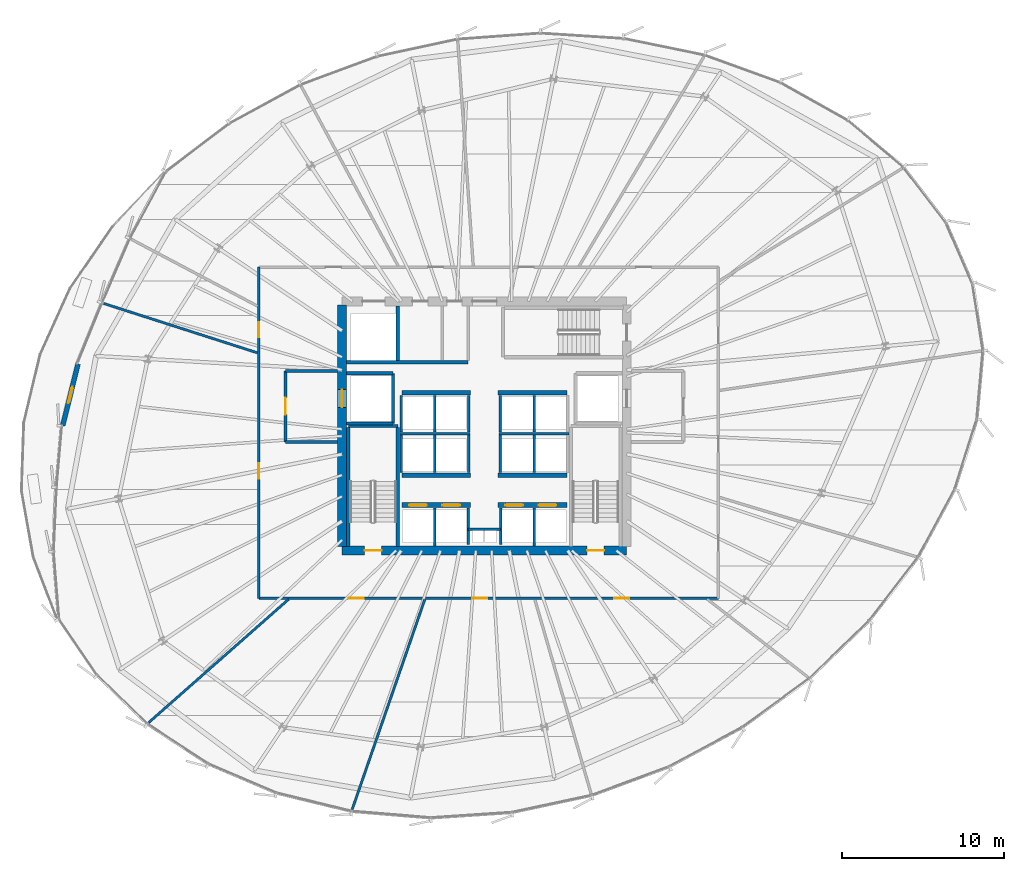
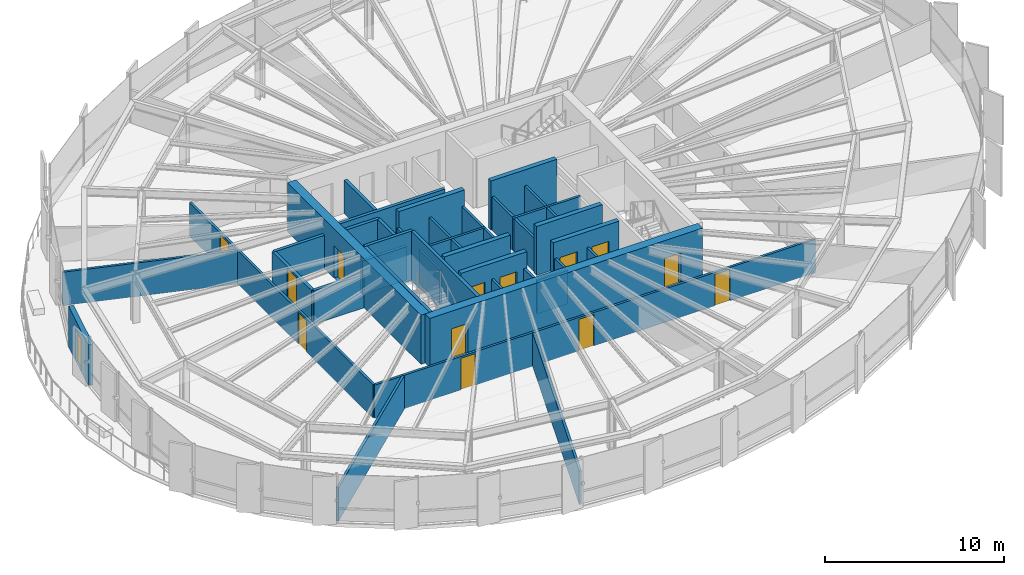
# One storey, part 29 of 35: 42 walls, 14 doors, 14 openings.
"""IFC4 building model written with IfcOpenShell, lengths in metres."""

import ifcopenshell
import ifcopenshell.guid

model = None  # the IFC model being written
_history = None  # IfcOwnerHistory: only IFC2X3 demands one
_inside = {}  # id of a spatial element -> (the spatial element, [elements in it])
_under = {}  # id of a project, library or spatial element -> (it, [spatial elements below it])
_declared = {}  # id of a project -> (the project, [libraries it declares])
_typed = {}  # id of a type object -> (the type object, [elements of that type])
_made_of = {}  # id of a material, layer set ... -> (it, [elements and type objects made of it])


def new_model(schema):
    """Start an empty IFC model of exactly this schema.

    Asked for "IFC4X3", IfcOpenShell would pick the latest addendum, in which some entities
    have other attributes; the version numbers below select the first issue.
    IFC2X3 requires an IfcOwnerHistory on every rooted entity: one is made here for all.
    """
    global model, _history
    if schema == "IFC4X3":
        model = ifcopenshell.file(schema_version=(4, 3, 0, 0))
    else:
        model = ifcopenshell.file(schema=schema)
    _inside.clear()
    _under.clear()
    _declared.clear()
    _typed.clear()
    _made_of.clear()
    _history = None
    if model.schema == "IFC2X3":
        org = make("IfcOrganization", Name="unknown")
        user = make(
            "IfcPersonAndOrganization",
            ThePerson=make("IfcPerson", FamilyName="unknown"),
            TheOrganization=org,
        )
        app = make(
            "IfcApplication",
            ApplicationDeveloper=org,
            Version="unknown",
            ApplicationFullName="unknown",
            ApplicationIdentifier="unknown",
        )
        _history = make(
            "IfcOwnerHistory",
            OwningUser=user,
            OwningApplication=app,
            ChangeAction="ADDED",
            CreationDate=0,
        )
    return model


def make(cls, **values):
    """One entity of the class cls with the attributes given. An attribute that is None is left unset."""
    return model.create_entity(
        cls, **{name: value for name, value in values.items() if value is not None}
    )


def rooted(cls, **values):
    """An entity with a GlobalId (a new one), such as an element, a storey or a relation."""
    return make(cls, GlobalId=ifcopenshell.guid.new(), OwnerHistory=_history, **values)


def si_unit(unit_type, name, prefix=None):
    """IfcSIUnit, for example si_unit("LENGTHUNIT", "METRE", prefix="MILLI")."""
    return make("IfcSIUnit", UnitType=unit_type, Prefix=prefix, Name=name)


def assignment(units):
    """IfcUnitAssignment: the units of a project."""
    return None if units is None else make("IfcUnitAssignment", Units=units)


def point(xyz):
    """IfcCartesianPoint."""
    return None if xyz is None else make("IfcCartesianPoint", Coordinates=xyz)


def direction(xyz):
    """IfcDirection."""
    return None if xyz is None else make("IfcDirection", DirectionRatios=xyz)


def frame(location, z_axis=None, x_axis=None):
    """IfcAxis2Placement3D, a coordinate frame: its origin and axes. An axis left out is left unset."""
    return make(
        "IfcAxis2Placement3D",
        Location=point(location),
        Axis=direction(z_axis),
        RefDirection=direction(x_axis),
    )


def frame_2d(location, x_axis=None):
    """IfcAxis2Placement2D, a coordinate frame in the plane: its origin and x axis."""
    return make(
        "IfcAxis2Placement2D", Location=point(location), RefDirection=direction(x_axis)
    )


def origin():
    """The frame at (0, 0, 0) with its axes left unset."""
    return frame((0.0, 0.0, 0.0))


def place(relative_to, where):
    """IfcLocalPlacement: puts the frame where relative to a parent placement (None: the world)."""
    return make(
        "IfcLocalPlacement", PlacementRelTo=relative_to, RelativePlacement=where
    )


def context(
    kind, dimensions, precision=None, world=None, true_north=None, identifier=None
):
    """IfcGeometricRepresentationContext, for example the 3D "Model" context."""
    return make(
        "IfcGeometricRepresentationContext",
        ContextIdentifier=identifier,
        ContextType=kind,
        CoordinateSpaceDimension=dimensions,
        Precision=precision,
        WorldCoordinateSystem=world,
        TrueNorth=true_north,
    )


def subcontext(parent, identifier, kind, view, scale=None):
    """IfcGeometricRepresentationSubContext, for example "Body" below "Model"."""
    return make(
        "IfcGeometricRepresentationSubContext",
        ContextIdentifier=identifier,
        ContextType=kind,
        ParentContext=parent,
        TargetScale=scale,
        TargetView=view,
    )


def project(units=None, contexts=None):
    """IfcProject with its units and contexts."""
    return rooted(
        "IfcProject",
        Name="project",
        RepresentationContexts=contexts,
        UnitsInContext=assignment(units),
    )


def spatial(cls, under=None, at=None, **own):
    """A site, building, storey or space (cls), placed at a placement, below another one or the project."""
    s = rooted(cls, ObjectPlacement=at, **own)
    if under is not None:
        _under.setdefault(under.id(), (under, []))[1].append(s)
    return s


def profile(cls, at=None, kind="AREA", **sizes):
    """A parametric profile (cls). Its sizes go by their IFC names, for example OverallWidth=200.0."""
    return make(cls, ProfileType=kind, Position=at, **sizes)


def rectangle(**sizes):
    """IfcRectangleProfileDef."""
    return profile("IfcRectangleProfileDef", **sizes)


def extrude(swept, where, along, depth):
    """IfcExtrudedAreaSolid: the profile swept, set in the frame where, extruded along a direction by depth."""
    return make(
        "IfcExtrudedAreaSolid",
        SweptArea=swept,
        Position=where,
        ExtrudedDirection=direction(along),
        Depth=depth,
    )


def shape(context_of_items, identifier, shape_type, items):
    """IfcShapeRepresentation: the items that make up one representation, for example the "Body"."""
    return make(
        "IfcShapeRepresentation",
        ContextOfItems=context_of_items,
        RepresentationIdentifier=identifier,
        RepresentationType=shape_type,
        Items=items,
    )


def source(mapping_origin, context_of_items, identifier, shape_type, items):
    """IfcRepresentationMap: a shape defined once, which mapped items show again and again."""
    return make(
        "IfcRepresentationMap",
        MappingOrigin=mapping_origin,
        MappedRepresentation=shape(context_of_items, identifier, shape_type, items),
    )


def transform(
    local_origin,
    x_axis=None,
    y_axis=None,
    z_axis=None,
    scale=None,
    scale2=None,
    scale3=None,
    uniform=True,
):
    """IfcCartesianTransformationOperator3D, or its non-uniform kind. x_axis, y_axis, z_axis: its Axis1, 2, 3."""
    if uniform:
        return make(
            "IfcCartesianTransformationOperator3D",
            Axis1=direction(x_axis),
            Axis2=direction(y_axis),
            LocalOrigin=point(local_origin),
            Scale=scale,
            Axis3=direction(z_axis),
        )
    return make(
        "IfcCartesianTransformationOperator3DnonUniform",
        Axis1=direction(x_axis),
        Axis2=direction(y_axis),
        LocalOrigin=point(local_origin),
        Scale=scale,
        Axis3=direction(z_axis),
        Scale2=scale2,
        Scale3=scale3,
    )


def mapped(mapping_source, mapping_target):
    """IfcMappedItem: shows the shape of a source again, moved by a transform."""
    return make(
        "IfcMappedItem", MappingSource=mapping_source, MappingTarget=mapping_target
    )


def material(Name=None, Category=None):
    """IfcMaterial."""
    return make("IfcMaterial", Name=Name, Category=Category)


def layer(
    of_material, thickness, ventilated=None, Name=None, Category=None, Priority=None
):
    """IfcMaterialLayer: one layer of a wall or slab, of a material (None: an air gap)."""
    return make(
        "IfcMaterialLayer",
        Material=of_material,
        LayerThickness=thickness,
        IsVentilated=ventilated,
        Name=Name,
        Category=Category,
        Priority=Priority,
    )


def layer_set(layers, Name=None):
    """IfcMaterialLayerSet."""
    return make("IfcMaterialLayerSet", MaterialLayers=layers, LayerSetName=Name)


def made_of(thing, what):
    """Note that an element or type object is made of a material, layer set ...; save() writes the relation."""
    if what is not None:
        _made_of.setdefault(what.id(), (what, []))[1].append(thing)
    return thing


def type_object(cls, material=None, **own):
    """A type object (cls), such as IfcWallType, which elements share."""
    return made_of(rooted(cls, **own), material)


def element(
    cls,
    number,
    at=None,
    inside=None,
    cuts=None,
    type_object=None,
    material=None,
    context=None,
    identifier="Body",
    shape_type=None,
    held_by="IfcProductDefinitionShape",
    body=None,
    shapes=None,
    **own,
):
    """One element of the class cls, such as IfcWall. Its Tag is "e" and its number.

    at: its placement. inside: the storey or other place that contains it. cuts: it is an
    opening in that element (IfcRelVoidsElement). A single representation is given by context,
    identifier, shape_type and body (its items); several are given by shapes. held_by: the class
    of the entity that holds the representations. save() writes the other relations.
    """
    e = rooted(cls, Tag="e%d" % number, ObjectPlacement=at, **own)
    if body is not None:
        shapes = [shape(context, identifier, shape_type, body)]
    if shapes is not None:
        e.Representation = make(held_by, Representations=shapes)
    if inside is not None:
        _inside.setdefault(inside.id(), (inside, []))[1].append(e)
    if cuts is not None:
        rooted(
            "IfcRelVoidsElement", RelatingBuildingElement=cuts, RelatedOpeningElement=e
        )
    if type_object is not None:
        _typed.setdefault(type_object.id(), (type_object, []))[1].append(e)
    return made_of(e, material)


def fill(opening, filler):
    """IfcRelFillsElement: the door or window that sits in an opening."""
    return rooted(
        "IfcRelFillsElement",
        RelatingOpeningElement=opening,
        RelatedBuildingElement=filler,
    )


def aggregate(whole, parts):
    """IfcRelAggregates: a whole, such as a stair, and the parts it consists of."""
    return rooted("IfcRelAggregates", RelatingObject=whole, RelatedObjects=parts)


def save(model, path):
    """Write the relations noted so far, then the file.

    IfcRelAggregates (storeys below a building ...), IfcRelContainedInSpatialStructure (elements
    in a storey), IfcRelDefinesByType, IfcRelAssociatesMaterial and IfcRelDeclares: one each for
    every whole, place, type object, material and project.
    """
    for whole, parts in _under.values():
        aggregate(whole, parts)
    for where, things in _inside.values():
        rooted(
            "IfcRelContainedInSpatialStructure",
            RelatedElements=things,
            RelatingStructure=where,
        )
    for kind, things in _typed.values():
        rooted("IfcRelDefinesByType", RelatedObjects=things, RelatingType=kind)
    for what, things in _made_of.values():
        rooted("IfcRelAssociatesMaterial", RelatedObjects=things, RelatingMaterial=what)
    for by, libraries in _declared.values():
        rooted("IfcRelDeclares", RelatingContext=by, RelatedDefinitions=libraries)
    model.write(path)


model = new_model("IFC4")

# Units and contexts
model_context = context("Model", 3, precision=1e-05, world=origin(), true_north=direction((0.0, 1.0)))
body_context = subcontext(model_context, "Body", "Model", "MODEL_VIEW")
ifc_project = project(units=[si_unit("LENGTHUNIT", "METRE"), si_unit("AREAUNIT", "SQUARE_METRE"), si_unit("VOLUMEUNIT", "CUBIC_METRE"), si_unit("PLANEANGLEUNIT", "RADIAN"), si_unit("MASSUNIT", "GRAM", prefix="KILO"), si_unit("THERMODYNAMICTEMPERATUREUNIT", "KELVIN")], contexts=[model_context])

# Site, building, storey
site_placement = place(None, origin())
site = spatial("IfcSite", under=ifc_project, at=site_placement, CompositionType="ELEMENT")
building_placement = place(site_placement, origin())
building = spatial("IfcBuilding", under=site, at=building_placement, Name="Kethvar Cultural Tower", CompositionType="ELEMENT")
storey_placement = place(building_placement, frame((0.0, 0.0, 100.0)))
storey = spatial("IfcBuildingStorey", under=building, at=storey_placement, Name="L24", CompositionType="ELEMENT", Elevation=100.0)

# Wall, openings, doors
ifc_material_1 = material(Name="Concrete C60/75", Category="concrete")
ifc_layer_1 = layer(ifc_material_1, 0.550048828125, Name="Concrete C60/75", Category="concrete")
ifc_layer_set_1 = layer_set([ifc_layer_1], Name="Concrete C60/75 (550 mm)")
wall_type_1 = type_object("IfcWallType", Name="WL-CORE-550", PredefinedType="SHEAR", material=ifc_layer_set_1)
wall_1_placement = place(storey_placement, frame((38.0, 20.10009765625, 0.0), z_axis=(0.0, 0.0, 1.0), x_axis=(1.0, 0.0, 0.0)))
wall_1 = element("IfcWall", 1, at=wall_1_placement, inside=storey, type_object=wall_type_1, Name="L24 Core Shear Wall S", PredefinedType="SHEAR", context=body_context, shape_type="SweptSolid", body=[
    extrude(rectangle(XDim=17.60009765625, YDim=0.550048828125, at=frame_2d((8.800048828125, 0.0))), origin(), (0.0, 0.0, 1.0), 3.35009765625),
])
opening_1_placement = place(wall_1_placement, frame((1.39990234375, 0.0, 0.0)))
opening_1 = element("IfcOpeningElement", 2, at=opening_1_placement, cuts=wall_1, Name="Opening D-L24-S1", PredefinedType="OPENING", context=body_context, shape_type="SweptSolid", body=[
    extrude(rectangle(XDim=1.050048828125, YDim=2.14990234375, at=frame_2d((0.52490234375, 1.074951171875))), frame((0.0, 0.284912109375, 0.0), z_axis=(0.0, -1.0, 0.0), x_axis=(1.0, 0.0, 0.0)), (0.0, 0.0, 1.0), 0.570068359375),
])
opening_2_placement = place(wall_1_placement, frame((15.14990234375, 0.0, 0.0)))
opening_2 = element("IfcOpeningElement", 3, at=opening_2_placement, cuts=wall_1, Name="Opening D-L24-ST2", PredefinedType="OPENING", context=body_context, shape_type="SweptSolid", body=[
    extrude(rectangle(XDim=1.050048828125, YDim=2.14990234375, at=frame_2d((0.52490234375, 1.074951171875))), frame((0.0, 0.284912109375, 0.0), z_axis=(0.0, -1.0, 0.0), x_axis=(1.0, 0.0, 0.0)), (0.0, 0.0, 1.0), 0.570068359375),
])
ifc_material_2 = material(Name="Steel S355J2", Category="steel")
door_type_1 = type_object("IfcDoorType", Name="DR-FD60-1050", OperationType="NOTDEFINED", PredefinedType="DOOR", material=ifc_material_2)
shared_shape_1 = source(origin(), body_context, "Body", "SweptSolid", [
    extrude(rectangle(XDim=1.050048828125, YDim=2.14990234375, at=frame_2d((0.52490234375, 1.074951171875))), frame((0.0, 0.02490234375, 0.0), z_axis=(0.0, -1.0, 0.0), x_axis=(1.0, 0.0, 0.0)), (0.0, 0.0, 1.0), 0.050048828125),
])
door_1_placement = place(opening_1_placement, origin())
door_1 = element("IfcDoor", 4, at=door_1_placement, inside=storey, type_object=door_type_1, Name="L24 Exit Stair 1 Door", OperationType="SINGLE_SWING_LEFT", OverallHeight=2.14990234375, OverallWidth=1.050048828125, PredefinedType="DOOR", context=body_context, shape_type="MappedRepresentation", body=[
    mapped(shared_shape_1, transform((0.0, 0.0, 0.0), scale=1.0)),
])
fill(opening_1, door_1)
door_2_placement = place(opening_2_placement, origin())
door_2 = element("IfcDoor", 5, at=door_2_placement, inside=storey, type_object=door_type_1, Name="L24 Exit Stair 2 Door", OperationType="SINGLE_SWING_RIGHT", OverallHeight=2.14990234375, OverallWidth=1.050048828125, PredefinedType="DOOR", context=body_context, shape_type="MappedRepresentation", body=[
    mapped(shared_shape_1, transform((0.0, 0.0, 0.0), scale=1.0)),
])
fill(opening_2, door_2)

# Wall, opening, door
wall_2_placement = place(storey_placement, frame((38.0, 35.260009765625, 0.0), z_axis=(0.0, 0.0, 1.0), x_axis=(0.0, -1.0, 0.0)))
wall_2 = element("IfcWall", 6, at=wall_2_placement, inside=storey, type_object=wall_type_1, Name="L24 Core Shear Wall W", PredefinedType="SHEAR", context=body_context, shape_type="SweptSolid", body=[
    extrude(rectangle(XDim=14.919921875, YDim=0.550048828125, at=frame_2d((7.4599609375, 0.0))), origin(), (0.0, 0.0, 1.0), 3.35009765625),
])
opening_3_placement = place(wall_2_placement, frame((5.2099609375, 0.0, 0.0)))
opening_3 = element("IfcOpeningElement", 7, at=opening_3_placement, cuts=wall_2, Name="Opening LD-1", PredefinedType="OPENING", context=body_context, shape_type="SweptSolid", body=[
    extrude(rectangle(XDim=1.10009765625, YDim=2.199951171875, at=frame_2d((0.550048828125, 1.10009765625))), frame((0.0, 0.284912109375, 0.0), z_axis=(0.0, -1.0, 0.0), x_axis=(1.0, 0.0, 0.0)), (0.0, 0.0, 1.0), 0.570068359375),
])
door_type_2 = type_object("IfcDoorType", Name="DR-LIFT-SLIDE-1100", OperationType="NOTDEFINED", PredefinedType="DOOR", material=ifc_material_2)
shared_shape_2 = source(origin(), body_context, "Body", "SweptSolid", [
    extrude(rectangle(XDim=1.10009765625, YDim=2.199951171875, at=frame_2d((0.550048828125, 1.10009765625))), frame((0.0, 0.02490234375, 0.0), z_axis=(0.0, -1.0, 0.0), x_axis=(1.0, 0.0, 0.0)), (0.0, 0.0, 1.0), 0.050048828125),
])
door_3_placement = place(opening_3_placement, origin())
door_3 = element("IfcDoor", 8, at=door_3_placement, inside=storey, type_object=door_type_2, Name="L24 Firefighting Lift Landing Door FFL-01", OperationType="SLIDING_TO_LEFT", OverallHeight=2.199951171875, OverallWidth=1.10009765625, PredefinedType="DOOR", context=body_context, shape_type="MappedRepresentation", body=[
    mapped(shared_shape_2, transform((0.0, 0.0, 0.0), scale=1.0)),
])
fill(opening_3, door_3)

ifc_material_3 = material(Name="Concrete C40/50", Category="concrete")
ifc_layer_2 = layer(ifc_material_3, 0.300048828125, Name="Concrete C40/50", Category="concrete")
ifc_layer_set_2 = layer_set([ifc_layer_2], Name="Concrete C40/50 (300 mm)")
wall_type_2 = type_object("IfcWallType", Name="WL-EXT-TER-300", PredefinedType="SOLIDWALL", material=ifc_layer_set_2)
wall_3_placement = place(storey_placement, frame((20.729736328125, 27.81201171875, 0.0), z_axis=(0.0, 0.0, 1.0), x_axis=(0.240490163951, 0.970651575512, 0.0)))
wall_3 = element("IfcWall", 9, at=wall_3_placement, inside=storey, type_object=wall_type_2, Name="L24 Sky Terrace Access Wall", PredefinedType="SOLIDWALL", context=body_context, shape_type="SweptSolid", body=[
    extrude(rectangle(XDim=3.932861328125, YDim=0.300048828125, at=frame_2d((1.96630859375, 0.0))), origin(), (0.0, 0.0, 1.0), 2.77490234375),
])
opening_4_placement = place(wall_3_placement, frame((1.44140625, 0.0, 0.0)))
opening_4 = element("IfcOpeningElement", 10, at=opening_4_placement, cuts=wall_3, Name="Opening D-L24-T1", PredefinedType="OPENING", context=body_context, shape_type="SweptSolid", body=[
    extrude(rectangle(XDim=1.050048828125, YDim=2.199951171875, at=frame_2d((0.52490234375, 1.10009765625))), frame((0.0, 0.159912109375, 0.0), z_axis=(0.0, -1.0, 0.0), x_axis=(1.0, 0.0, 0.0)), (0.0, 0.0, 1.0), 0.320068359375),
])
ifc_material_4 = material(Name="Aluminium 6063-T6", Category="aluminium")
door_type_3 = type_object("IfcDoorType", Name="DR-EXT-TER-1050", OperationType="NOTDEFINED", PredefinedType="DOOR", material=ifc_material_4)
shared_shape_3 = source(origin(), body_context, "Body", "SweptSolid", [
    extrude(rectangle(XDim=1.050048828125, YDim=2.199951171875, at=frame_2d((0.52490234375, 1.10009765625))), frame((0.0, 0.02490234375, 0.0), z_axis=(0.0, -1.0, 0.0), x_axis=(1.0, 0.0, 0.0)), (0.0, 0.0, 1.0), 0.050048828125),
])
door_4_placement = place(opening_4_placement, origin())
door_4 = element("IfcDoor", 11, at=door_4_placement, inside=storey, type_object=door_type_3, Name="L24 Sky Terrace Access Door D-L24-T1", OperationType="SINGLE_SWING_LEFT", OverallHeight=2.199951171875, OverallWidth=1.050048828125, PredefinedType="DOOR", context=body_context, shape_type="MappedRepresentation", body=[
    mapped(shared_shape_3, transform((0.0, 0.0, 0.0), scale=1.0)),
])
fill(opening_4, door_4)

# Walls
ifc_material_5 = material(Name="Gypsum Fireboard Partition")
ifc_layer_3 = layer(ifc_material_5, 0.14990234375, Name="Gypsum Fireboard Partition")
ifc_layer_set_3 = layer_set([ifc_layer_3], Name="Gypsum Fireboard Partition (150 mm)")
wall_type_3 = type_object("IfcWallType", Name="WL-FIRE-150", PredefinedType="PARTITIONING", material=ifc_layer_set_3)
wall_4_placement = place(storey_placement, frame((45.800048828125, 21.419921875, 0.0), z_axis=(0.0, 0.0, 1.0), x_axis=(1.0, 0.0, 0.0)))
element("IfcWall", 12, at=wall_4_placement, inside=storey, type_object=wall_type_3, Name="L24 Core Riser Wall", PredefinedType="PARTITIONING", context=body_context, shape_type="SweptSolid", body=[
    extrude(rectangle(XDim=2.0, YDim=0.14990234375, at=frame_2d((1.0, 0.0))), origin(), (0.0, 0.0, 1.0), 2.280029296875),
])
for number, where, z_axis, x_axis, name in (
    (13, (45.800048828125, 20.47998046875, 0.0), (0.0, 0.0, 1.0), (0.0, 1.0, 0.0), "L24 Core Riser West Wall"),
    (14, (47.800048828125, 20.47998046875, 0.0), (0.0, 0.0, 1.0), (0.0, 1.0, 0.0), "L24 Core Riser East Wall"),
):
    element("IfcWall", number, at=place(storey_placement, frame(where, z_axis=z_axis, x_axis=x_axis)), inside=storey, type_object=wall_type_3, Name=name, PredefinedType="PARTITIONING", context=body_context, shape_type="SweptSolid", body=[
        extrude(rectangle(XDim=2.239990234375, YDim=0.14990234375, at=frame_2d((1.1201171875, 0.0))), origin(), (0.0, 0.0, 1.0), 2.280029296875),
    ])
for number, where, z_axis, x_axis, name in (
    (15, (43.72509765625, 20.385009765625, 0.0), (0.0, 0.0, 1.0), (0.0, 1.0, 0.0), "L24 Low-Rise Lift Shaft Divider W"),
    (16, (49.875, 20.385009765625, 0.0), (0.0, 0.0, 1.0), (0.0, 1.0, 0.0), "L24 Low-Rise Lift Shaft Divider E"),
):
    element("IfcWall", number, at=place(storey_placement, frame(where, z_axis=z_axis, x_axis=x_axis)), inside=storey, type_object=wall_type_3, Name=name, PredefinedType="PARTITIONING", context=body_context, shape_type="SweptSolid", body=[
        extrude(rectangle(XDim=2.344970703125, YDim=0.14990234375, at=frame_2d((1.17236328125, 0.0))), origin(), (0.0, 0.0, 1.0), 2.280029296875),
    ])
wall_5_placement = place(storey_placement, frame((41.580078125, 27.324951171875, 0.0), z_axis=(0.0, 0.0, 1.0), x_axis=(1.0, 0.0, 0.0)))
element("IfcWall", 17, at=wall_5_placement, inside=storey, type_object=wall_type_3, Name="L24 Mid-High Lift Shaft Back Wall W", PredefinedType="PARTITIONING", context=body_context, shape_type="SweptSolid", body=[
    extrude(rectangle(XDim=4.31982421875, YDim=0.14990234375, at=frame_2d((2.159912109375, 0.0))), origin(), (0.0, 0.0, 1.0), 2.280029296875),
])
wall_6_placement = place(storey_placement, frame((47.699951171875, 27.324951171875, 0.0), z_axis=(0.0, 0.0, 1.0), x_axis=(1.0, 0.0, 0.0)))
element("IfcWall", 18, at=wall_6_placement, inside=storey, type_object=wall_type_3, Name="L24 Mid-High Lift Shaft Back Wall E", PredefinedType="PARTITIONING", context=body_context, shape_type="SweptSolid", body=[
    extrude(rectangle(XDim=4.320068359375, YDim=0.14990234375, at=frame_2d((2.16015625, 0.0))), origin(), (0.0, 0.0, 1.0), 2.280029296875),
])
for number, where, z_axis, x_axis, name in (
    (19, (41.64990234375, 24.919921875, 0.0), (0.0, 0.0, 1.0), (0.0, 1.0, 0.0), "L24 Mid-Rise Lift Shaft Outer Wall W"),
    (20, (43.72509765625, 24.919921875, 0.0), (0.0, 0.0, 1.0), (0.0, 1.0, 0.0), "L24 Mid-Rise Lift Shaft Divider W"),
    (21, (45.824951171875, 24.919921875, 0.0), (0.0, 0.0, 1.0), (0.0, 1.0, 0.0), "L24 Mid-Rise Lift Shaft Concourse Wall W"),
    (22, (47.77490234375, 24.919921875, 0.0), (0.0, 0.0, 1.0), (0.0, 1.0, 0.0), "L24 Mid-Rise Lift Shaft Concourse Wall E"),
    (23, (49.875, 24.919921875, 0.0), (0.0, 0.0, 1.0), (0.0, 1.0, 0.0), "L24 Mid-Rise Lift Shaft Divider E"),
):
    element("IfcWall", number, at=place(storey_placement, frame(where, z_axis=z_axis, x_axis=x_axis)), inside=storey, type_object=wall_type_3, Name=name, PredefinedType="PARTITIONING", context=body_context, shape_type="SweptSolid", body=[
        extrude(rectangle(XDim=2.320068359375, YDim=0.14990234375, at=frame_2d((1.16015625, 0.0))), origin(), (0.0, 0.0, 1.0), 2.280029296875),
    ])
for number, where, z_axis, x_axis, name in (
    (24, (41.64990234375, 27.409912109375, 0.0), (0.0, 0.0, 1.0), (0.0, 1.0, 0.0), "L24 High-Rise Lift Shaft Outer Wall W"),
    (25, (43.72509765625, 27.409912109375, 0.0), (0.0, 0.0, 1.0), (0.0, 1.0, 0.0), "L24 High-Rise Lift Shaft Divider W"),
    (26, (45.824951171875, 27.409912109375, 0.0), (0.0, 0.0, 1.0), (0.0, 1.0, 0.0), "L24 High-Rise Lift Shaft Concourse Wall W"),
    (27, (47.77490234375, 27.409912109375, 0.0), (0.0, 0.0, 1.0), (0.0, 1.0, 0.0), "L24 High-Rise Lift Shaft Concourse Wall E"),
    (28, (49.875, 27.409912109375, 0.0), (0.0, 0.0, 1.0), (0.0, 1.0, 0.0), "L24 High-Rise Lift Shaft Divider E"),
):
    element("IfcWall", number, at=place(storey_placement, frame(where, z_axis=z_axis, x_axis=x_axis)), inside=storey, type_object=wall_type_3, Name=name, PredefinedType="PARTITIONING", context=body_context, shape_type="SweptSolid", body=[
        extrude(rectangle(XDim=2.27001953125, YDim=0.14990234375, at=frame_2d((1.135009765625, 0.0))), origin(), (0.0, 0.0, 1.0), 2.280029296875),
    ])

# Wall, openings, doors
wall_7_placement = place(storey_placement, frame((32.85009765625, 17.139892578125, 0.0), z_axis=(0.0, 0.0, 1.0), x_axis=(1.0, 0.0, 0.0)))
wall_7 = element("IfcWall", 29, at=wall_7_placement, inside=storey, type_object=wall_type_3, Name="L24 Corridor Rated Wall S", PredefinedType="PARTITIONING", context=body_context, shape_type="SweptSolid", body=[
    extrude(rectangle(XDim=28.419921875, YDim=0.14990234375, at=frame_2d((14.2099609375, 0.0))), origin(), (0.0, 0.0, 1.0), 2.280029296875),
])
opening_5_placement = place(wall_7_placement, frame((5.554443359375, 0.0, 0.0)))
opening_5 = element("IfcOpeningElement", 30, at=opening_5_placement, cuts=wall_7, Name="Opening D-L24-01", PredefinedType="OPENING", context=body_context, shape_type="SweptSolid", body=[
    extrude(rectangle(XDim=0.949951171875, YDim=2.14990234375, at=frame_2d((0.47509765625, 1.074951171875))), frame((0.0, 0.0849609375, 0.0), z_axis=(0.0, -1.0, 0.0), x_axis=(1.0, 0.0, 0.0)), (0.0, 0.0, 1.0), 0.169921875),
])
opening_6_placement = place(wall_7_placement, frame((13.190673828125, 0.0, 0.0)))
opening_6 = element("IfcOpeningElement", 31, at=opening_6_placement, cuts=wall_7, Name="Opening D-L24-02", PredefinedType="OPENING", context=body_context, shape_type="SweptSolid", body=[
    extrude(rectangle(XDim=0.949951171875, YDim=2.14990234375, at=frame_2d((0.47509765625, 1.074951171875))), frame((0.0, 0.0849609375, 0.0), z_axis=(0.0, -1.0, 0.0), x_axis=(1.0, 0.0, 0.0)), (0.0, 0.0, 1.0), 0.169921875),
])
opening_7_placement = place(wall_7_placement, frame((21.966796875, 0.0, 0.0)))
opening_7 = element("IfcOpeningElement", 32, at=opening_7_placement, cuts=wall_7, Name="Opening D-L24-03", PredefinedType="OPENING", context=body_context, shape_type="SweptSolid", body=[
    extrude(rectangle(XDim=0.949951171875, YDim=2.14990234375, at=frame_2d((0.47509765625, 1.074951171875))), frame((0.0, 0.0849609375, 0.0), z_axis=(0.0, -1.0, 0.0), x_axis=(1.0, 0.0, 0.0)), (0.0, 0.0, 1.0), 0.169921875),
])
ifc_material_6 = material(Name="Architectural Oak Timber", Category="wood")
door_type_4 = type_object("IfcDoorType", Name="DR-FD30-950", OperationType="NOTDEFINED", PredefinedType="DOOR", material=ifc_material_6)
shared_shape_4 = source(origin(), body_context, "Body", "SweptSolid", [
    extrude(rectangle(XDim=0.949951171875, YDim=2.14990234375, at=frame_2d((0.47509765625, 1.074951171875))), frame((0.0, 0.02490234375, 0.0), z_axis=(0.0, -1.0, 0.0), x_axis=(1.0, 0.0, 0.0)), (0.0, 0.0, 1.0), 0.050048828125),
])
door_5_placement = place(opening_5_placement, origin())
door_5 = element("IfcDoor", 33, at=door_5_placement, inside=storey, type_object=door_type_4, Name="L24 Fellows' Study Workspace 01 Door", OperationType="SINGLE_SWING_LEFT", OverallHeight=2.14990234375, OverallWidth=0.949951171875, PredefinedType="DOOR", context=body_context, shape_type="MappedRepresentation", body=[
    mapped(shared_shape_4, transform((0.0, 0.0, 0.0), scale=1.0)),
])
fill(opening_5, door_5)
door_6_placement = place(opening_6_placement, origin())
door_6 = element("IfcDoor", 34, at=door_6_placement, inside=storey, type_object=door_type_4, Name="L24 Cataloguing Administration Office 02 Door", OperationType="SINGLE_SWING_RIGHT", OverallHeight=2.14990234375, OverallWidth=0.949951171875, PredefinedType="DOOR", context=body_context, shape_type="MappedRepresentation", body=[
    mapped(shared_shape_4, transform((0.0, 0.0, 0.0), scale=1.0)),
])
fill(opening_6, door_6)
door_7_placement = place(opening_7_placement, origin())
door_7 = element("IfcDoor", 35, at=door_7_placement, inside=storey, type_object=door_type_4, Name="L24 Conservation Design Workspace 03 Door", OperationType="SINGLE_SWING_LEFT", OverallHeight=2.14990234375, OverallWidth=0.949951171875, PredefinedType="DOOR", context=body_context, shape_type="MappedRepresentation", body=[
    mapped(shared_shape_4, transform((0.0, 0.0, 0.0), scale=1.0)),
])
fill(opening_7, door_7)

wall_8_placement = place(storey_placement, frame((32.85009765625, 37.6201171875, 0.0), z_axis=(0.0, 0.0, 1.0), x_axis=(0.0, -1.0, 0.0)))
wall_8 = element("IfcWall", 36, at=wall_8_placement, inside=storey, type_object=wall_type_3, Name="L24 Corridor Rated Wall W", PredefinedType="PARTITIONING", context=body_context, shape_type="SweptSolid", body=[
    extrude(rectangle(XDim=20.480224609375, YDim=0.14990234375, at=frame_2d((10.240234375, 0.0))), origin(), (0.0, 0.0, 1.0), 2.280029296875),
])
opening_8_placement = place(wall_8_placement, frame((3.39697265625, 0.0, 0.0)))
opening_8 = element("IfcOpeningElement", 37, at=opening_8_placement, cuts=wall_8, Name="Opening D-L24-11", PredefinedType="OPENING", context=body_context, shape_type="SweptSolid", body=[
    extrude(rectangle(XDim=0.949951171875, YDim=2.14990234375, at=frame_2d((0.47509765625, 1.074951171875))), frame((0.0, 0.0849609375, 0.0), z_axis=(0.0, -1.0, 0.0), x_axis=(1.0, 0.0, 0.0)), (0.0, 0.0, 1.0), 0.169921875),
])
opening_9_placement = place(wall_8_placement, frame((12.1318359375, 0.0, 0.0)))
opening_9 = element("IfcOpeningElement", 38, at=opening_9_placement, cuts=wall_8, Name="Opening D-L24-12", PredefinedType="OPENING", context=body_context, shape_type="SweptSolid", body=[
    extrude(rectangle(XDim=0.949951171875, YDim=2.14990234375, at=frame_2d((0.47509765625, 1.074951171875))), frame((0.0, 0.0849609375, 0.0), z_axis=(0.0, -1.0, 0.0), x_axis=(1.0, 0.0, 0.0)), (0.0, 0.0, 1.0), 0.169921875),
])
door_8_placement = place(opening_8_placement, origin())
door_8 = element("IfcDoor", 39, at=door_8_placement, inside=storey, type_object=door_type_4, Name="L24 Prints Reading Library 11 Door", OperationType="SINGLE_SWING_LEFT", OverallHeight=2.14990234375, OverallWidth=0.949951171875, PredefinedType="DOOR", context=body_context, shape_type="MappedRepresentation", body=[
    mapped(shared_shape_4, transform((0.0, 0.0, 0.0), scale=1.0)),
])
fill(opening_8, door_8)
door_9_placement = place(opening_9_placement, origin())
door_9 = element("IfcDoor", 40, at=door_9_placement, inside=storey, type_object=door_type_4, Name="L24 Operations Control Room 12 Door", OperationType="SINGLE_SWING_RIGHT", OverallHeight=2.14990234375, OverallWidth=0.949951171875, PredefinedType="DOOR", context=body_context, shape_type="MappedRepresentation", body=[
    mapped(shared_shape_4, transform((0.0, 0.0, 0.0), scale=1.0)),
])
fill(opening_9, door_9)

# Walls
ifc_layer_4 = layer(ifc_material_3, 0.199951171875, Name="Concrete C40/50", Category="concrete")
ifc_layer_set_4 = layer_set([ifc_layer_4], Name="Concrete C40/50 (200 mm)")
wall_type_4 = type_object("IfcWallType", Name="WL-FIRE-200", PredefinedType="PARTITIONING", material=ifc_layer_set_4)
wall_9_placement = place(storey_placement, frame((41.14990234375, 27.949951171875, 0.0), z_axis=(0.0, 0.0, 1.0), x_axis=(0.0, 1.0, 0.0)))
element("IfcWall", 41, at=wall_9_placement, inside=storey, type_object=wall_type_4, Name="L24 FFL-01 Shaft Inner Wall", PredefinedType="PARTITIONING", context=body_context, shape_type="SweptSolid", body=[
    extrude(rectangle(XDim=3.10009765625, YDim=0.199951171875, at=frame_2d((1.550048828125, 0.0))), origin(), (0.0, 0.0, 1.0), 2.280029296875),
])
for number, where, z_axis, x_axis, name in (
    (42, (38.284912109375, 27.949951171875, 0.0), (0.0, 0.0, 1.0), (1.0, 0.0, 0.0), "L24 FFL-01 Shaft South Wall"),
    (43, (38.284912109375, 31.050048828125, 0.0), (0.0, 0.0, 1.0), (1.0, 0.0, 0.0), "L24 FFL-01 Shaft North Wall"),
):
    element("IfcWall", number, at=place(storey_placement, frame(where, z_axis=z_axis, x_axis=x_axis)), inside=storey, type_object=wall_type_4, Name=name, PredefinedType="PARTITIONING", context=body_context, shape_type="SweptSolid", body=[
        extrude(rectangle(XDim=2.864990234375, YDim=0.199951171875, at=frame_2d((1.4326171875, 0.0))), origin(), (0.0, 0.0, 1.0), 2.280029296875),
    ])

# Wall, opening, door
wall_10_placement = place(storey_placement, frame((34.5, 31.199951171875, 0.0), z_axis=(0.0, 0.0, 1.0), x_axis=(0.0, -1.0, 0.0)))
wall_10 = element("IfcWall", 44, at=wall_10_placement, inside=storey, type_object=wall_type_4, Name="L24 Firefighting Lobby 1 Wall", PredefinedType="PARTITIONING", context=body_context, shape_type="SweptSolid", body=[
    extrude(rectangle(XDim=4.39990234375, YDim=0.199951171875, at=frame_2d((2.199951171875, 0.0))), origin(), (0.0, 0.0, 1.0), 2.280029296875),
])
opening_10_placement = place(wall_10_placement, frame((1.64990234375, 0.0, 0.0)))
opening_10 = element("IfcOpeningElement", 45, at=opening_10_placement, cuts=wall_10, Name="Opening D-L24-F1", PredefinedType="OPENING", context=body_context, shape_type="SweptSolid", body=[
    extrude(rectangle(XDim=1.050048828125, YDim=2.14990234375, at=frame_2d((0.52490234375, 1.074951171875))), frame((0.0, 0.10986328125, 0.0), z_axis=(0.0, -1.0, 0.0), x_axis=(1.0, 0.0, 0.0)), (0.0, 0.0, 1.0), 0.219970703125),
])
door_10_placement = place(opening_10_placement, origin())
door_10 = element("IfcDoor", 46, at=door_10_placement, inside=storey, type_object=door_type_1, Name="L24 Firefighting Lobby 1 Fire Door", OperationType="SINGLE_SWING_LEFT", OverallHeight=2.14990234375, OverallWidth=1.050048828125, PredefinedType="DOOR", context=body_context, shape_type="MappedRepresentation", body=[
    mapped(shared_shape_1, transform((0.0, 0.0, 0.0), scale=1.0)),
])
fill(opening_10, door_10)

# Walls
for number, where, z_axis, x_axis, name in (
    (47, (34.5, 26.800048828125, 0.0), (0.0, 0.0, 1.0), (1.0, 0.0, 0.0), "L24 FF Lobby 1 South Wall"),
    (48, (34.5, 31.199951171875, 0.0), (0.0, 0.0, 1.0), (1.0, 0.0, 0.0), "L24 FF Lobby 1 North Wall"),
):
    element("IfcWall", number, at=place(storey_placement, frame(where, z_axis=z_axis, x_axis=x_axis)), inside=storey, type_object=wall_type_4, Name=name, PredefinedType="PARTITIONING", context=body_context, shape_type="SweptSolid", body=[
        extrude(rectangle(XDim=3.215087890625, YDim=0.199951171875, at=frame_2d((1.607421875, 0.0))), origin(), (0.0, 0.0, 1.0), 2.280029296875),
    ])
wall_11_placement = place(storey_placement, frame((41.449951171875, 31.85009765625, 0.0), z_axis=(0.0, 0.0, 1.0), x_axis=(0.0, 1.0, 0.0)))
element("IfcWall", 49, at=wall_11_placement, inside=storey, type_object=wall_type_4, Name="L24 NW Core Pocket Wall", PredefinedType="PARTITIONING", context=body_context, shape_type="SweptSolid", body=[
    extrude(rectangle(XDim=3.364990234375, YDim=0.199951171875, at=frame_2d((1.6826171875, 0.0))), origin(), (0.0, 0.0, 1.0), 2.280029296875),
])
wall_12_placement = place(storey_placement, frame((38.284912109375, 31.72998046875, 0.0), z_axis=(0.0, 0.0, 1.0), x_axis=(1.0, 0.0, 0.0)))
element("IfcWall", 50, at=wall_12_placement, inside=storey, type_object=wall_type_4, Name="L24 North Core Sanitary South Wall", PredefinedType="PARTITIONING", context=body_context, shape_type="SweptSolid", body=[
    extrude(rectangle(XDim=7.51513671875, YDim=0.199951171875, at=frame_2d((3.757568359375, 0.0))), origin(), (0.0, 0.0, 1.0), 2.280029296875),
])
ifc_material_7 = material(Name="Gypsum Acoustic Partition")
ifc_layer_5 = layer(ifc_material_7, 0.14990234375, Name="Gypsum Acoustic Partition")
ifc_layer_set_5 = layer_set([ifc_layer_5], Name="Gypsum Acoustic Partition (150 mm)")
wall_type_5 = type_object("IfcWallType", Name="WL-PART-150", PredefinedType="PARTITIONING", material=ifc_layer_set_5)
wall_13_placement = place(storey_placement, frame((34.702880859375, 17.087158203125, 0.0), z_axis=(0.0, 0.0, 1.0), x_axis=(-0.750332761991, -0.661060319701, 0.0)))
element("IfcWall", 51, at=wall_13_placement, inside=storey, type_object=wall_type_5, Name="L24 Radial Partition Wall 01", PredefinedType="PARTITIONING", context=body_context, shape_type="SweptSolid", body=[
    extrude(rectangle(XDim=11.540771484375, YDim=0.14990234375, at=frame_2d((5.7705078125, 0.0))), origin(), (0.0, 0.0, 1.0), 2.280029296875),
])
wall_14_placement = place(storey_placement, frame((43.1123046875, 17.064453125, 0.0), z_axis=(0.0, 0.0, 1.0), x_axis=(-0.326758204428, -0.945107970466, 0.0)))
element("IfcWall", 52, at=wall_14_placement, inside=storey, type_object=wall_type_5, Name="L24 Radial Partition Wall 02", PredefinedType="PARTITIONING", context=body_context, shape_type="SweptSolid", body=[
    extrude(rectangle(XDim=13.73193359375, YDim=0.14990234375, at=frame_2d((6.865966796875, 0.0))), origin(), (0.0, 0.0, 1.0), 2.280029296875),
])
wall_15_placement = place(storey_placement, frame((32.773681640625, 32.31640625, 0.0), z_axis=(0.0, 0.0, 1.0), x_axis=(-0.952129526553, 0.30569488819, 0.0)))
element("IfcWall", 53, at=wall_15_placement, inside=storey, type_object=wall_type_5, Name="L24 Radial Partition Wall 12", PredefinedType="PARTITIONING", context=body_context, shape_type="SweptSolid", body=[
    extrude(rectangle(XDim=9.98291015625, YDim=0.14990234375, at=frame_2d((4.991455078125, 0.0))), origin(), (0.0, 0.0, 1.0), 2.280029296875),
])

# Wall, openings, doors
ifc_material_8 = material(Name="Concrete C50/60", Category="concrete")
ifc_layer_6 = layer(ifc_material_8, 0.300048828125, Name="Concrete C50/60", Category="concrete")
ifc_layer_set_6 = layer_set([ifc_layer_6], Name="Concrete C50/60 (300 mm)")
wall_type_6 = type_object("IfcWallType", Name="WL-SHAFT-300", PredefinedType="SHEAR", material=ifc_layer_set_6)
wall_16_placement = place(storey_placement, frame((41.699951171875, 22.89990234375, 0.0), z_axis=(0.0, 0.0, 1.0), x_axis=(1.0, 0.0, 0.0)))
wall_16 = element("IfcWall", 54, at=wall_16_placement, inside=storey, type_object=wall_type_6, Name="L24 Core Lift Spine Wall MID1W", PredefinedType="SHEAR", context=body_context, shape_type="SweptSolid", body=[
    extrude(rectangle(XDim=4.25, YDim=0.300048828125, at=frame_2d((2.125, 0.0))), origin(), (0.0, 0.0, 1.0), 3.35009765625),
])
opening_11_placement = place(wall_16_placement, frame((0.449951171875, 0.0, 0.0)))
opening_11 = element("IfcOpeningElement", 55, at=opening_11_placement, cuts=wall_16, Name="Opening LD-L1", PredefinedType="OPENING", context=body_context, shape_type="SweptSolid", body=[
    extrude(rectangle(XDim=1.10009765625, YDim=2.199951171875, at=frame_2d((0.550048828125, 1.10009765625))), frame((0.0, 0.159912109375, 0.0), z_axis=(0.0, -1.0, 0.0), x_axis=(1.0, 0.0, 0.0)), (0.0, 0.0, 1.0), 0.320068359375),
])
opening_12_placement = place(wall_16_placement, frame((2.5, 0.0, 0.0)))
opening_12 = element("IfcOpeningElement", 56, at=opening_12_placement, cuts=wall_16, Name="Opening LD-L2", PredefinedType="OPENING", context=body_context, shape_type="SweptSolid", body=[
    extrude(rectangle(XDim=1.10009765625, YDim=2.199951171875, at=frame_2d((0.550048828125, 1.10009765625))), frame((0.0, 0.159912109375, 0.0), z_axis=(0.0, -1.0, 0.0), x_axis=(1.0, 0.0, 0.0)), (0.0, 0.0, 1.0), 0.320068359375),
])
door_11_placement = place(opening_11_placement, origin())
door_11 = element("IfcDoor", 57, at=door_11_placement, inside=storey, type_object=door_type_2, Name="L24 Low-Rise Lift Landing Door L1", OperationType="SLIDING_TO_LEFT", OverallHeight=2.199951171875, OverallWidth=1.10009765625, PredefinedType="DOOR", context=body_context, shape_type="MappedRepresentation", body=[
    mapped(shared_shape_2, transform((0.0, 0.0, 0.0), scale=1.0)),
])
fill(opening_11, door_11)
door_12_placement = place(opening_12_placement, origin())
door_12 = element("IfcDoor", 58, at=door_12_placement, inside=storey, type_object=door_type_2, Name="L24 Low-Rise Lift Landing Door L2", OperationType="SLIDING_TO_LEFT", OverallHeight=2.199951171875, OverallWidth=1.10009765625, PredefinedType="DOOR", context=body_context, shape_type="MappedRepresentation", body=[
    mapped(shared_shape_2, transform((0.0, 0.0, 0.0), scale=1.0)),
])
fill(opening_12, door_12)

wall_17_placement = place(storey_placement, frame((47.64990234375, 22.89990234375, 0.0), z_axis=(0.0, 0.0, 1.0), x_axis=(1.0, 0.0, 0.0)))
wall_17 = element("IfcWall", 59, at=wall_17_placement, inside=storey, type_object=wall_type_6, Name="L24 Core Lift Spine Wall MID1E", PredefinedType="SHEAR", context=body_context, shape_type="SweptSolid", body=[
    extrude(rectangle(XDim=4.25, YDim=0.300048828125, at=frame_2d((2.125, 0.0))), origin(), (0.0, 0.0, 1.0), 3.35009765625),
])
opening_13_placement = place(wall_17_placement, frame((0.449951171875, 0.0, 0.0)))
opening_13 = element("IfcOpeningElement", 60, at=opening_13_placement, cuts=wall_17, Name="Opening LD-L3", PredefinedType="OPENING", context=body_context, shape_type="SweptSolid", body=[
    extrude(rectangle(XDim=1.10009765625, YDim=2.199951171875, at=frame_2d((0.550048828125, 1.10009765625))), frame((0.0, 0.159912109375, 0.0), z_axis=(0.0, -1.0, 0.0), x_axis=(1.0, 0.0, 0.0)), (0.0, 0.0, 1.0), 0.320068359375),
])
opening_14_placement = place(wall_17_placement, frame((2.5, 0.0, 0.0)))
opening_14 = element("IfcOpeningElement", 61, at=opening_14_placement, cuts=wall_17, Name="Opening LD-L4", PredefinedType="OPENING", context=body_context, shape_type="SweptSolid", body=[
    extrude(rectangle(XDim=1.10009765625, YDim=2.199951171875, at=frame_2d((0.550048828125, 1.10009765625))), frame((0.0, 0.159912109375, 0.0), z_axis=(0.0, -1.0, 0.0), x_axis=(1.0, 0.0, 0.0)), (0.0, 0.0, 1.0), 0.320068359375),
])
door_13_placement = place(opening_13_placement, origin())
door_13 = element("IfcDoor", 62, at=door_13_placement, inside=storey, type_object=door_type_2, Name="L24 Low-Rise Lift Landing Door L3", OperationType="SLIDING_TO_LEFT", OverallHeight=2.199951171875, OverallWidth=1.10009765625, PredefinedType="DOOR", context=body_context, shape_type="MappedRepresentation", body=[
    mapped(shared_shape_2, transform((0.0, 0.0, 0.0), scale=1.0)),
])
fill(opening_13, door_13)
door_14_placement = place(opening_14_placement, origin())
door_14 = element("IfcDoor", 63, at=door_14_placement, inside=storey, type_object=door_type_2, Name="L24 Low-Rise Lift Landing Door L4", OperationType="SLIDING_TO_LEFT", OverallHeight=2.199951171875, OverallWidth=1.10009765625, PredefinedType="DOOR", context=body_context, shape_type="MappedRepresentation", body=[
    mapped(shared_shape_2, transform((0.0, 0.0, 0.0), scale=1.0)),
])
fill(opening_14, door_14)

# Walls
for number, where, z_axis, x_axis, name in (
    (64, (41.699951171875, 24.75, 0.0), (0.0, 0.0, 1.0), (1.0, 0.0, 0.0), "L24 Core Lift Spine Wall MID2W"),
    (65, (47.64990234375, 24.75, 0.0), (0.0, 0.0, 1.0), (1.0, 0.0, 0.0), "L24 Core Lift Spine Wall MID2E"),
    (66, (41.699951171875, 29.85009765625, 0.0), (0.0, 0.0, 1.0), (1.0, 0.0, 0.0), "L24 Core Lift Spine Wall MID3W"),
    (67, (47.64990234375, 29.85009765625, 0.0), (0.0, 0.0, 1.0), (1.0, 0.0, 0.0), "L24 Core Lift Spine Wall MID3E"),
):
    element("IfcWall", number, at=place(storey_placement, frame(where, z_axis=z_axis, x_axis=x_axis)), inside=storey, type_object=wall_type_6, Name=name, PredefinedType="SHEAR", context=body_context, shape_type="SweptSolid", body=[
        extrude(rectangle(XDim=4.25, YDim=0.300048828125, at=frame_2d((2.125, 0.0))), origin(), (0.0, 0.0, 1.0), 3.35009765625),
    ])
ifc_layer_7 = layer(ifc_material_8, 0.199951171875, Name="Concrete C50/60", Category="concrete")
ifc_layer_set_7 = layer_set([ifc_layer_7], Name="Concrete C50/60 (200 mm)")
wall_type_7 = type_object("IfcWallType", Name="WL-STSHAFT-200", PredefinedType="SHEAR", material=ifc_layer_set_7)
wall_18_placement = place(storey_placement, frame((38.389892578125, 27.800048828125, 0.0), z_axis=(0.0, 0.0, 1.0), x_axis=(1.0, 0.0, 0.0)))
element("IfcWall", 68, at=wall_18_placement, inside=storey, type_object=wall_type_7, Name="L24 ST-01 Stair Shaft Wall FAR", PredefinedType="SHEAR", context=body_context, shape_type="SweptSolid", body=[
    extrude(rectangle(XDim=3.06005859375, YDim=0.199951171875, at=frame_2d((1.530029296875, 0.0))), origin(), (0.0, 0.0, 1.0), 3.35009765625),
])
for number, where, z_axis, x_axis, name in (
    (69, (41.449951171875, 27.699951171875, 0.0), (0.0, 0.0, 1.0), (0.0, -1.0, 0.0), "L24 ST-01 Stair Shaft Wall LEFT"),
    (70, (38.389892578125, 20.35009765625, 0.0), (0.0, 0.0, 1.0), (0.0, 1.0, 0.0), "L24 ST-01 Stair Shaft Wall RIGHT"),
):
    element("IfcWall", number, at=place(storey_placement, frame(where, z_axis=z_axis, x_axis=x_axis)), inside=storey, type_object=wall_type_7, Name=name, PredefinedType="SHEAR", context=body_context, shape_type="SweptSolid", body=[
        extrude(rectangle(XDim=7.349853515625, YDim=0.199951171875, at=frame_2d((3.6748046875, 0.0))), origin(), (0.0, 0.0, 1.0), 3.35009765625),
    ])

save(model, "model.ifc")
